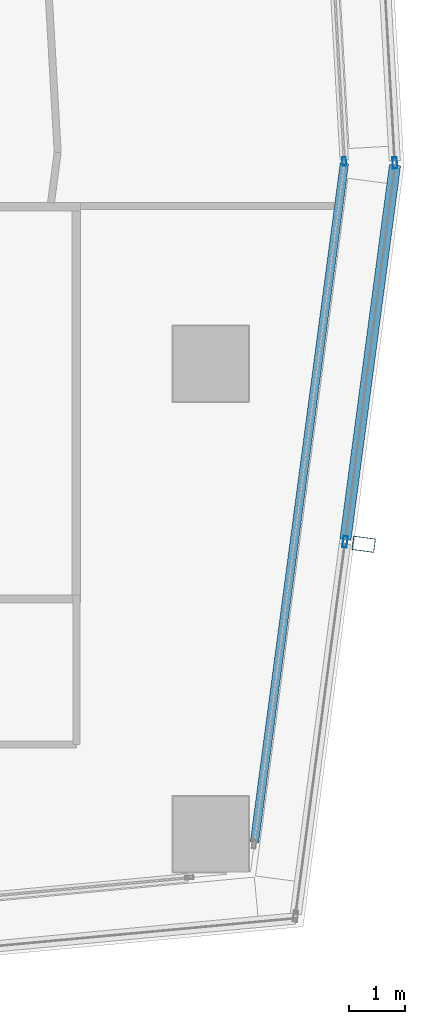
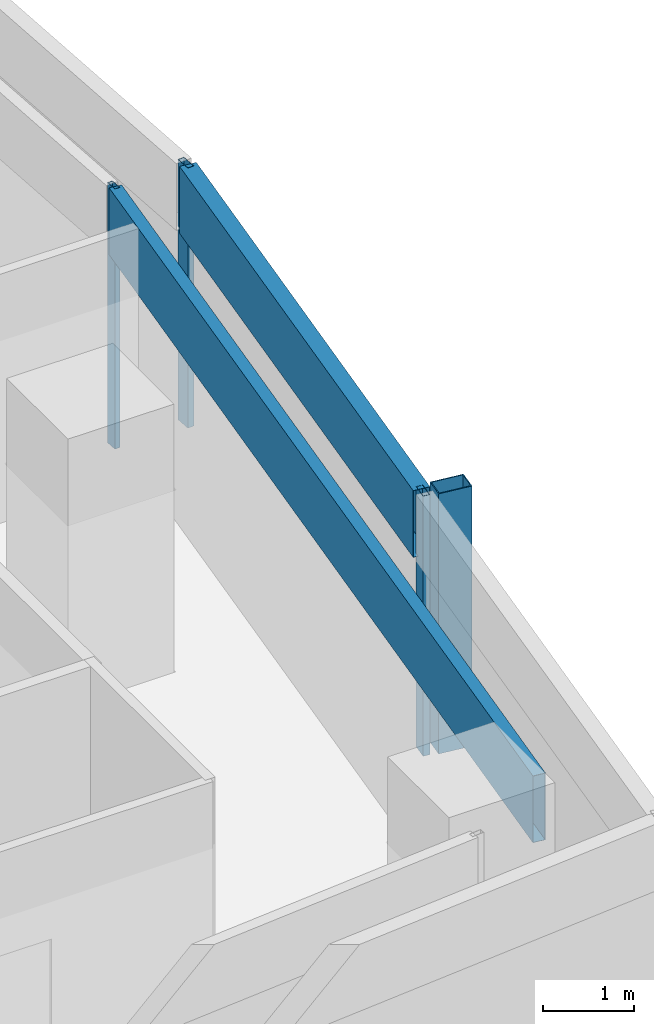
# One storey, part 13 of 38: 6 members, 4 elements without a shape of their own.
"""IFC4 building model written with IfcOpenShell, lengths in metres."""

from ifc_helpers import new_model, si_unit, direction, frame, origin, origin_2d, place, context, subcontext, project, spatial, hollow_rectangle, extrude, material, material_profile, profile_set, type_object, element, aggregate, save


model = new_model("IFC4")

# Units and contexts
model_context = context("Model", 3, precision=1e-05, world=origin(), true_north=direction((0.0, 1.0)))
body_context = subcontext(model_context, "Body", "Model", "MODEL_VIEW")
ifc_project = project(units=[si_unit("LENGTHUNIT", "METRE"), si_unit("AREAUNIT", "SQUARE_METRE"), si_unit("VOLUMEUNIT", "CUBIC_METRE"), si_unit("PLANEANGLEUNIT", "RADIAN"), si_unit("MASSUNIT", "GRAM", prefix="KILO")], contexts=[model_context])

# Site, building, storey
site_placement = place(None, origin())
site = spatial("IfcSite", under=ifc_project, at=site_placement, CompositionType="ELEMENT")
building_placement = place(site_placement, origin())
building = spatial("IfcBuilding", under=site, at=building_placement, Name="Rekha Terrace Tower", CompositionType="ELEMENT")
storey_placement = place(building_placement, frame((0.0, 0.0, 195.199951171875)))
storey = spatial("IfcBuildingStorey", under=building, at=storey_placement, Name="L49", CompositionType="ELEMENT", Elevation=195.199951171875)

# Curtain wall, member
ifc_material_1 = material(Name="Aluminium framing", Category="aluminium")
curtain_wall_type_1 = type_object("IfcCurtainWallType", Name="CW2 double skin outer glazing", PredefinedType="USERDEFINED", material=ifc_material_1)
curtain_wall_1_placement = place(storey_placement, origin())
curtain_wall_1 = element("IfcCurtainWall", 1, at=curtain_wall_1_placement, inside=storey, type_object=curtain_wall_type_1, Name="CW2 double skin outer glazing", ObjectType="DOUBLE SKIN OUTER GLAZING", PredefinedType="USERDEFINED")
ifc_material_2 = material(Name="Steel S355 with fluorocarbon finish", Category="steel")
ifc_material_profile_1 = material_profile(ifc_material_2, hollow_rectangle(XDim=0.25, YDim=0.39990234375, WallThickness=0.012451171875, at=origin_2d()), Name="RHS400x250x12.5")
ifc_profile_set_1 = profile_set([ifc_material_profile_1], Name="Steel S355 with fluorocarbon finish")
member_type_1 = type_object("IfcMemberType", Name="BL1 facade blade RHS 400 x 250", PredefinedType="USERDEFINED", material=ifc_profile_set_1)
member_1_placement = place(storey_placement, frame((61.531005859375, 21.977783203125, 0.0), z_axis=(0.0, 0.0, 1.0), x_axis=(0.131303100637, 0.991342269735, 0.0)))
member_1 = element("IfcMember", 2, at=member_1_placement, type_object=member_type_1, Name="Facade blade", ObjectType="FACADE BLADE", PredefinedType="USERDEFINED", context=body_context, shape_type="SweptSolid", body=[
    extrude(hollow_rectangle(XDim=0.25, YDim=0.39990234375, WallThickness=0.012451171875, at=origin_2d()), origin(), (0.0, 0.0, 1.0), 3.5),
])

curtain_wall_type_2 = type_object("IfcCurtainWallType", Name="CW1 double skin inner glazing", PredefinedType="USERDEFINED", material=ifc_material_1)
curtain_wall_2_placement = place(storey_placement, origin())
curtain_wall_2 = element("IfcCurtainWall", 3, at=curtain_wall_2_placement, inside=storey, type_object=curtain_wall_type_2, Name="CW1 double skin inner glazing", ObjectType="DOUBLE SKIN INNER GLAZING", PredefinedType="USERDEFINED")
ifc_material_3 = material(Name="Aluminium mullion section", Category="aluminium")
ifc_material_profile_2 = material_profile(ifc_material_3, hollow_rectangle(XDim=0.06494140625, YDim=0.14990234375, WallThickness=0.00390625, at=origin_2d()), Name="AL RHS 65x150")
ifc_profile_set_2 = profile_set([ifc_material_profile_2], Name="Aluminium mullion section")
member_type_2 = type_object("IfcMemberType", Name="CW1 mullion RHS 65 x 150", PredefinedType="MULLION", material=ifc_profile_set_2)
member_2_placement = place(storey_placement, frame((61.18408203125, 28.812255859375, 0.0), z_axis=(0.0, 0.0, 1.0), x_axis=(-0.998392782919, -0.05667319486, 0.0)))
member_2 = element("IfcMember", 4, at=member_2_placement, type_object=member_type_2, Name="CW1 mullion 1", PredefinedType="MULLION", context=body_context, shape_type="SweptSolid", body=[
    extrude(hollow_rectangle(XDim=0.06494140625, YDim=0.14990234375, WallThickness=0.00390625, at=origin_2d()), origin(), (0.0, 0.0, 1.0), 3.5),
])
aggregate(curtain_wall_2, [member_2])

curtain_wall_3_placement = place(storey_placement, origin())
curtain_wall_3 = element("IfcCurtainWall", 5, at=curtain_wall_3_placement, inside=storey, type_object=curtain_wall_type_2, Name="CW1 double skin inner glazing", ObjectType="DOUBLE SKIN INNER GLAZING", PredefinedType="USERDEFINED")
ifc_material_4 = material(Name="Insulated aluminium spandrel box", Category="aluminium")
ifc_material_profile_3 = material_profile(ifc_material_4, hollow_rectangle(XDim=0.14990234375, YDim=0.89990234375, WallThickness=0.0029296875, at=origin_2d()), Name="AL SPANDREL BOX 150x900")
ifc_profile_set_3 = profile_set([ifc_material_profile_3], Name="Insulated aluminium spandrel box")
member_type_3 = type_object("IfcMemberType", Name="CW1 spandrel transom 150 x 900", PredefinedType="USERDEFINED", material=ifc_profile_set_3)
member_3_placement = place(storey_placement, frame((59.580322265625, 16.656982421875, 3.050048828125), z_axis=(0.131307111352, 0.991341738508, 0.0), x_axis=(-0.991341738508, 0.131307111352, 0.0)))
member_3 = element("IfcMember", 6, at=member_3_placement, type_object=member_type_3, Name="CW1 spandrel transom 1", ObjectType="TRANSOM", PredefinedType="USERDEFINED", context=body_context, shape_type="SweptSolid", body=[
    extrude(hollow_rectangle(XDim=0.14990234375, YDim=0.89990234375, WallThickness=0.0029296875, at=origin_2d()), origin(), (0.0, 0.0, 1.0), 12.228759765625),
])
aggregate(curtain_wall_3, [member_3])

# Member
ifc_material_profile_4 = material_profile(ifc_material_3, hollow_rectangle(XDim=0.080078125, YDim=0.199951171875, WallThickness=0.00390625, at=origin_2d()), Name="AL RHS 80x200")
ifc_profile_set_4 = profile_set([ifc_material_profile_4], Name="Aluminium mullion section")
member_type_4 = type_object("IfcMemberType", Name="CW2 mullion RHS 80 x 200", PredefinedType="MULLION", material=ifc_profile_set_4)
member_4_placement = place(storey_placement, frame((61.19873046875, 22.021728515625, 0.0), z_axis=(0.0, 0.0, 1.0), x_axis=(-0.991342203187, 0.131303603075, 0.0)))
member_4 = element("IfcMember", 7, at=member_4_placement, type_object=member_type_4, Name="CW2 mullion 2", PredefinedType="MULLION", context=body_context, shape_type="SweptSolid", body=[
    extrude(hollow_rectangle(XDim=0.080078125, YDim=0.199951171875, WallThickness=0.00390625, at=origin_2d()), origin(), (0.0, 0.0, 1.0), 3.5),
])

# Curtain wall, member
curtain_wall_4_placement = place(storey_placement, origin())
curtain_wall_4 = element("IfcCurtainWall", 8, at=curtain_wall_4_placement, inside=storey, type_object=curtain_wall_type_1, Name="CW2 double skin outer glazing", ObjectType="DOUBLE SKIN OUTER GLAZING", PredefinedType="USERDEFINED")
member_5_placement = place(storey_placement, frame((62.087158203125, 28.785888671875, 0.0), z_axis=(0.0, 0.0, 1.0), x_axis=(-0.998392782919, -0.05667319486, 0.0)))
member_5 = element("IfcMember", 9, at=member_5_placement, type_object=member_type_4, Name="CW2 mullion 1", PredefinedType="MULLION", context=body_context, shape_type="SweptSolid", body=[
    extrude(hollow_rectangle(XDim=0.080078125, YDim=0.199951171875, WallThickness=0.00390625, at=origin_2d()), origin(), (0.0, 0.0, 1.0), 3.5),
])
aggregate(curtain_wall_4, [member_5])

# Member
ifc_material_profile_5 = material_profile(ifc_material_4, hollow_rectangle(XDim=0.199951171875, YDim=0.89990234375, WallThickness=0.0029296875, at=origin_2d()), Name="AL SPANDREL BOX 200x900")
ifc_profile_set_5 = profile_set([ifc_material_profile_5], Name="Insulated aluminium spandrel box")
member_type_5 = type_object("IfcMemberType", Name="CW2 spandrel transom 200 x 900", PredefinedType="USERDEFINED", material=ifc_profile_set_5)
member_6_placement = place(storey_placement, frame((61.2041015625, 22.0615234375, 3.050048828125), z_axis=(0.131286165193, 0.991344512684, 0.0), x_axis=(-0.991344512684, 0.131286165193, 0.0)))
member_6 = element("IfcMember", 10, at=member_6_placement, type_object=member_type_5, Name="CW2 spandrel transom 2", ObjectType="TRANSOM", PredefinedType="USERDEFINED", context=body_context, shape_type="SweptSolid", body=[
    extrude(hollow_rectangle(XDim=0.199951171875, YDim=0.89990234375, WallThickness=0.0029296875, at=origin_2d()), origin(), (0.0, 0.0, 1.0), 6.742919921875),
])

aggregate(curtain_wall_1, [member_4, member_6, member_1])

save(model, "model.ifc")
